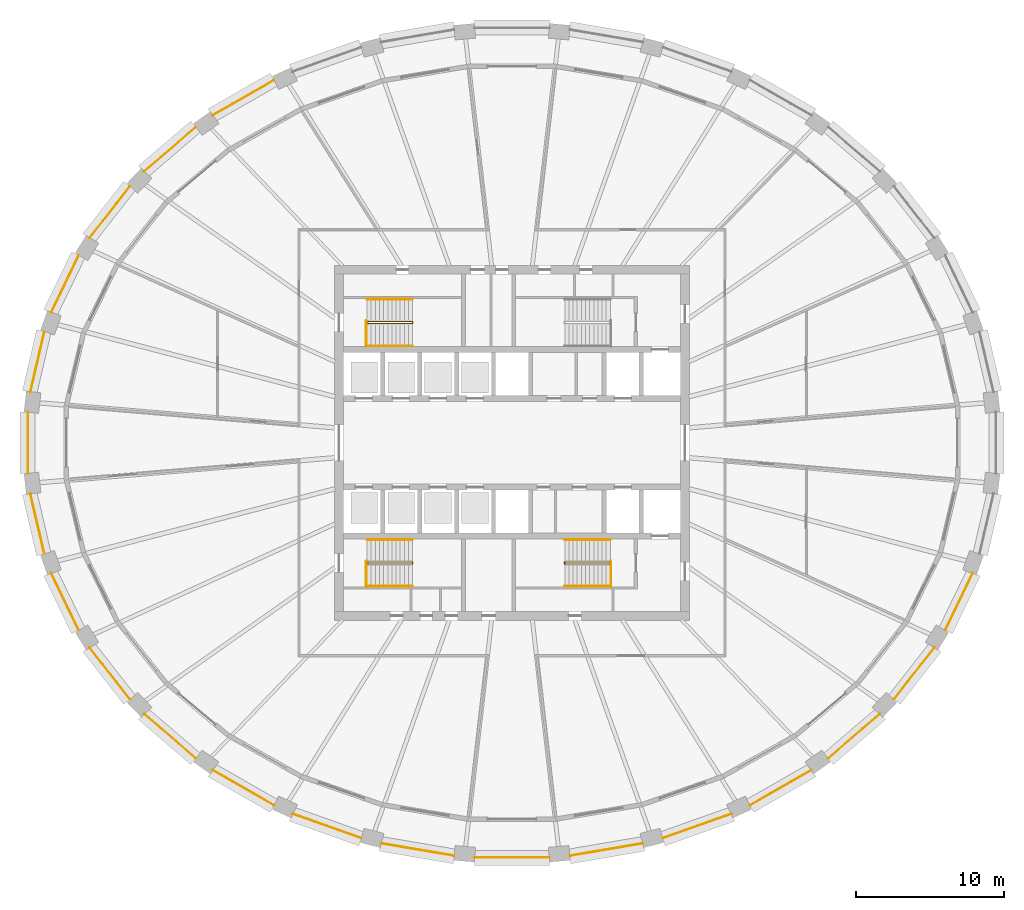
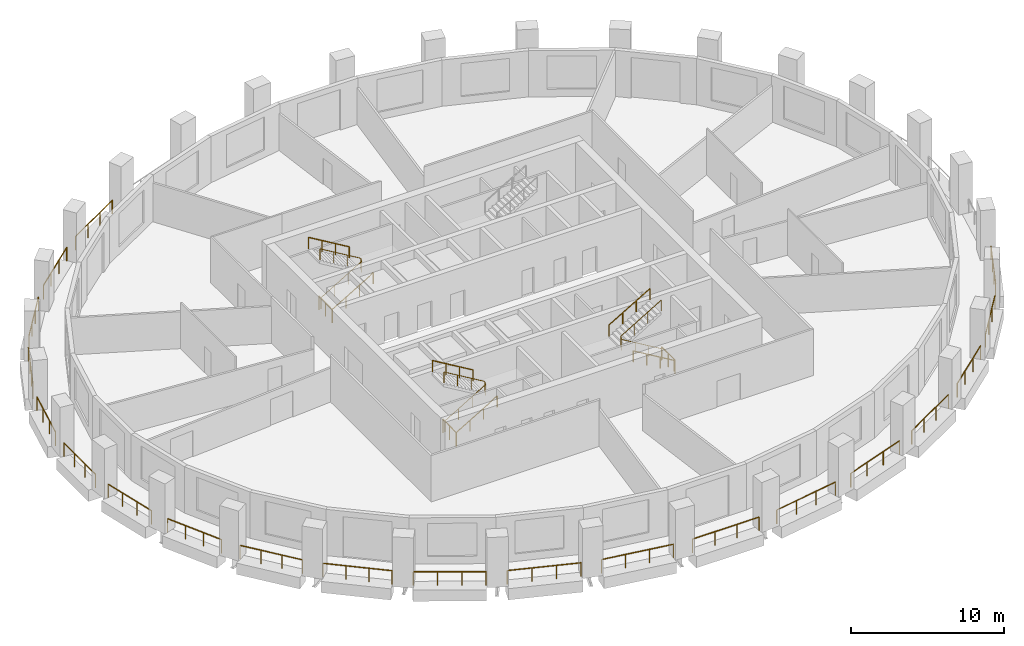
# One storey, part 8 of 10: 32 railings.
"""IFC4 building model written with IfcOpenShell, lengths in metres."""

from ifc_helpers import new_model, si_unit, direction, frame, origin, origin_2d, place, context, subcontext, project, spatial, circle, extrude, material, type_object, element, save


model = new_model("IFC4")

# Units and contexts
model_context = context("Model", 3, precision=1e-05, world=origin(), true_north=direction((0.0, 1.0)))
body_context = subcontext(model_context, "Body", "Model", "MODEL_VIEW")
ifc_project = project(units=[si_unit("LENGTHUNIT", "METRE"), si_unit("AREAUNIT", "SQUARE_METRE"), si_unit("VOLUMEUNIT", "CUBIC_METRE"), si_unit("PLANEANGLEUNIT", "RADIAN"), si_unit("MASSUNIT", "GRAM", prefix="KILO")], contexts=[model_context])

# Site, building, storey
site_placement = place(None, origin())
site = spatial("IfcSite", under=ifc_project, at=site_placement, CompositionType="ELEMENT")
building_placement = place(site_placement, origin())
building = spatial("IfcBuilding", under=site, at=building_placement, Name="Halqa Exchange Tower", CompositionType="ELEMENT")
storey_placement = place(building_placement, frame((0.0, 0.0, 186.89990234375)))
storey = spatial("IfcBuildingStorey", under=building, at=storey_placement, Name="L42", CompositionType="ELEMENT", Elevation=186.89990234375)

# Railings
ifc_material = material(Name="Stainless steel", Category="steel")
railing_type_1 = type_object("IfcRailingType", Name="Guard 1100 stainless steel", PredefinedType="GUARDRAIL", material=ifc_material)
railing_1_placement = place(storey_placement, frame((-16.104248046875, 24.502685546875, 0.0)))
element("IfcRailing", 1, at=railing_1_placement, inside=storey, type_object=railing_type_1, Name="Loggia guard 11", PredefinedType="GUARDRAIL", context=body_context, shape_type="SweptSolid", body=[
    extrude(circle(Radius=0.02392578125, at=origin_2d()), frame((0.0, 0.0, 1.076171875), z_axis=(-0.867751855259, -0.496997703913, 0.0), x_axis=(0.496997703913, -0.867751855259, 0.0)), (0.0, 0.0, 1.0), 4.774658203125),
    extrude(circle(Radius=0.02099609375, at=origin_2d()), origin(), (0.0, 0.0, 1.0), 1.052001953125),
    extrude(circle(Radius=0.02099609375, at=origin_2d()), frame((-1.381103515625, -0.791015625, 0.0)), (0.0, 0.0, 1.0), 1.052001953125),
    extrude(circle(Radius=0.02099609375, at=origin_2d()), frame((-2.76220703125, -1.58203125, 0.0)), (0.0, 0.0, 1.0), 1.052001953125),
    extrude(circle(Radius=0.02099609375, at=origin_2d()), frame((-4.143310546875, -2.373046875, 0.0)), (0.0, 0.0, 1.0), 1.052001953125),
])
railing_2_placement = place(storey_placement, frame((-21.386474609375, 21.326171875, 0.0)))
element("IfcRailing", 2, at=railing_2_placement, inside=storey, type_object=railing_type_1, Name="Loggia guard 12", PredefinedType="GUARDRAIL", context=body_context, shape_type="SweptSolid", body=[
    extrude(circle(Radius=0.02392578125, at=origin_2d()), frame((0.0, 0.0, 1.076171875), z_axis=(-0.75926783661, -0.650778266608, 0.0), x_axis=(0.650778266608, -0.75926783661, 0.0)), (0.0, 0.0, 1.0), 4.60205078125),
    extrude(circle(Radius=0.02099609375, at=origin_2d()), origin(), (0.0, 0.0, 1.0), 1.052001953125),
    extrude(circle(Radius=0.02099609375, at=origin_2d()), frame((-1.164794921875, -0.998291015625, 0.0)), (0.0, 0.0, 1.0), 1.052001953125),
    extrude(circle(Radius=0.02099609375, at=origin_2d()), frame((-2.329345703125, -1.99658203125, 0.0)), (0.0, 0.0, 1.0), 1.052001953125),
    extrude(circle(Radius=0.02099609375, at=origin_2d()), frame((-3.494140625, -2.994873046875, 0.0)), (0.0, 0.0, 1.0), 1.052001953125),
])
railing_3_placement = place(storey_placement, frame((-25.84228515625, 17.32373046875, 0.0)))
element("IfcRailing", 3, at=railing_3_placement, inside=storey, type_object=railing_type_1, Name="Loggia guard 13", PredefinedType="GUARDRAIL", context=body_context, shape_type="SweptSolid", body=[
    extrude(circle(Radius=0.02392578125, at=origin_2d()), frame((0.0, 0.0, 1.076171875), z_axis=(-0.614819031124, -0.788668218561, 0.0), x_axis=(0.788668218561, -0.614819031124, 0.0)), (0.0, 0.0, 1.0), 4.423583984375),
    extrude(circle(Radius=0.02099609375, at=origin_2d()), origin(), (0.0, 0.0, 1.0), 1.052001953125),
    extrude(circle(Radius=0.02099609375, at=origin_2d()), frame((-0.906494140625, -1.162841796875, 0.0)), (0.0, 0.0, 1.0), 1.052001953125),
    extrude(circle(Radius=0.02099609375, at=origin_2d()), frame((-1.813232421875, -2.325927734375, 0.0)), (0.0, 0.0, 1.0), 1.052001953125),
    extrude(circle(Radius=0.02099609375, at=origin_2d()), frame((-2.7197265625, -3.48876953125, 0.0)), (0.0, 0.0, 1.0), 1.052001953125),
])
railing_4_placement = place(storey_placement, frame((-29.296875, 12.652587890625, 0.0)))
element("IfcRailing", 4, at=railing_4_placement, inside=storey, type_object=railing_type_1, Name="Loggia guard 14", PredefinedType="GUARDRAIL", context=body_context, shape_type="SweptSolid", body=[
    extrude(circle(Radius=0.02392578125, at=origin_2d()), frame((0.0, 0.0, 1.076171875), z_axis=(-0.435091374041, -0.900386303892, 0.0), x_axis=(0.900386303892, -0.435091374041, 0.0)), (0.0, 0.0, 1.0), 4.267822265625),
    extrude(circle(Radius=0.02099609375, at=origin_2d()), origin(), (0.0, 0.0, 1.0), 1.052001953125),
    extrude(circle(Radius=0.02099609375, at=origin_2d()), frame((-0.618896484375, -1.281005859375, 0.0)), (0.0, 0.0, 1.0), 1.052001953125),
    extrude(circle(Radius=0.02099609375, at=origin_2d()), frame((-1.238037109375, -2.561767578125, 0.0)), (0.0, 0.0, 1.0), 1.052001953125),
    extrude(circle(Radius=0.02099609375, at=origin_2d()), frame((-1.85693359375, -3.8427734375, 0.0)), (0.0, 0.0, 1.0), 1.052001953125),
])
railing_5_placement = place(storey_placement, frame((-31.61669921875, 7.497802734375, 0.0)))
element("IfcRailing", 5, at=railing_5_placement, inside=storey, type_object=railing_type_1, Name="Loggia guard 15", PredefinedType="GUARDRAIL", context=body_context, shape_type="SweptSolid", body=[
    extrude(circle(Radius=0.02392578125, at=origin_2d()), frame((0.0, 0.0, 1.076171875), z_axis=(-0.226088953207, -0.974106660093, 0.0), x_axis=(0.974106660093, -0.226088953207, 0.0)), (0.0, 0.0, 1.0), 4.16162109375),
    extrude(circle(Radius=0.02099609375, at=origin_2d()), origin(), (0.0, 0.0, 1.0), 1.052001953125),
    extrude(circle(Radius=0.02099609375, at=origin_2d()), frame((-0.313720703125, -1.351318359375, 0.0)), (0.0, 0.0, 1.0), 1.052001953125),
    extrude(circle(Radius=0.02099609375, at=origin_2d()), frame((-0.627197265625, -2.70263671875, 0.0)), (0.0, 0.0, 1.0), 1.052001953125),
    extrude(circle(Radius=0.02099609375, at=origin_2d()), frame((-0.94091796875, -4.053955078125, 0.0)), (0.0, 0.0, 1.0), 1.052001953125),
])
railing_6_placement = place(storey_placement, frame((-32.7158203125, 2.06201171875, 0.0)))
element("IfcRailing", 6, at=railing_6_placement, inside=storey, type_object=railing_type_1, Name="Loggia guard 16", PredefinedType="GUARDRAIL", context=body_context, shape_type="SweptSolid", body=[
    extrude(circle(Radius=0.02392578125, at=origin_2d()), frame((0.0, 0.0, 1.076171875), z_axis=(0.0, -1.0, 0.0), x_axis=(1.0, 0.0, 0.0)), (0.0, 0.0, 1.0), 4.1240234375),
    extrude(circle(Radius=0.02099609375, at=origin_2d()), origin(), (0.0, 0.0, 1.0), 1.052001953125),
    extrude(circle(Radius=0.02099609375, at=origin_2d()), frame((0.0, -1.374755859375, 0.0)), (0.0, 0.0, 1.0), 1.052001953125),
    extrude(circle(Radius=0.02099609375, at=origin_2d()), frame((0.0, -2.749267578125, 0.0)), (0.0, 0.0, 1.0), 1.052001953125),
    extrude(circle(Radius=0.02099609375, at=origin_2d()), frame((0.0, -4.1240234375, 0.0)), (0.0, 0.0, 1.0), 1.052001953125),
])
railing_7_placement = place(storey_placement, frame((-32.5576171875, -3.44384765625, 0.0)))
element("IfcRailing", 7, at=railing_7_placement, inside=storey, type_object=railing_type_1, Name="Loggia guard 17", PredefinedType="GUARDRAIL", context=body_context, shape_type="SweptSolid", body=[
    extrude(circle(Radius=0.02392578125, at=origin_2d()), frame((0.0, 0.0, 1.076171875), z_axis=(0.226088953207, -0.974106660093, 0.0), x_axis=(0.974106660093, 0.226088953207, 0.0)), (0.0, 0.0, 1.0), 4.16162109375),
    extrude(circle(Radius=0.02099609375, at=origin_2d()), origin(), (0.0, 0.0, 1.0), 1.052001953125),
    extrude(circle(Radius=0.02099609375, at=origin_2d()), frame((0.313720703125, -1.351318359375, 0.0)), (0.0, 0.0, 1.0), 1.052001953125),
    extrude(circle(Radius=0.02099609375, at=origin_2d()), frame((0.627197265625, -2.70263671875, 0.0)), (0.0, 0.0, 1.0), 1.052001953125),
    extrude(circle(Radius=0.02099609375, at=origin_2d()), frame((0.94091796875, -4.053955078125, 0.0)), (0.0, 0.0, 1.0), 1.052001953125),
])
railing_8_placement = place(storey_placement, frame((-31.15380859375, -8.809814453125, 0.0)))
element("IfcRailing", 8, at=railing_8_placement, inside=storey, type_object=railing_type_1, Name="Loggia guard 18", PredefinedType="GUARDRAIL", context=body_context, shape_type="SweptSolid", body=[
    extrude(circle(Radius=0.02392578125, at=origin_2d()), frame((0.0, 0.0, 1.076171875), z_axis=(0.435091374041, -0.900386303892, 0.0), x_axis=(0.900386303892, 0.435091374041, 0.0)), (0.0, 0.0, 1.0), 4.267822265625),
    extrude(circle(Radius=0.02099609375, at=origin_2d()), origin(), (0.0, 0.0, 1.0), 1.052001953125),
    extrude(circle(Radius=0.02099609375, at=origin_2d()), frame((0.618896484375, -1.281005859375, 0.0)), (0.0, 0.0, 1.0), 1.052001953125),
    extrude(circle(Radius=0.02099609375, at=origin_2d()), frame((1.238037109375, -2.561767578125, 0.0)), (0.0, 0.0, 1.0), 1.052001953125),
    extrude(circle(Radius=0.02099609375, at=origin_2d()), frame((1.85693359375, -3.8427734375, 0.0)), (0.0, 0.0, 1.0), 1.052001953125),
])
railing_9_placement = place(storey_placement, frame((-28.56201171875, -13.8349609375, 0.0)))
element("IfcRailing", 9, at=railing_9_placement, inside=storey, type_object=railing_type_1, Name="Loggia guard 19", PredefinedType="GUARDRAIL", context=body_context, shape_type="SweptSolid", body=[
    extrude(circle(Radius=0.02392578125, at=origin_2d()), frame((0.0, 0.0, 1.076171875), z_axis=(0.614819031124, -0.788668218561, 0.0), x_axis=(0.788668218561, 0.614819031124, 0.0)), (0.0, 0.0, 1.0), 4.423583984375),
    extrude(circle(Radius=0.02099609375, at=origin_2d()), origin(), (0.0, 0.0, 1.0), 1.052001953125),
    extrude(circle(Radius=0.02099609375, at=origin_2d()), frame((0.906494140625, -1.162841796875, 0.0)), (0.0, 0.0, 1.0), 1.052001953125),
    extrude(circle(Radius=0.02099609375, at=origin_2d()), frame((1.813232421875, -2.325927734375, 0.0)), (0.0, 0.0, 1.0), 1.052001953125),
    extrude(circle(Radius=0.02099609375, at=origin_2d()), frame((2.7197265625, -3.48876953125, 0.0)), (0.0, 0.0, 1.0), 1.052001953125),
])
railing_10_placement = place(storey_placement, frame((-24.880615234375, -18.331298828125, 0.0)))
element("IfcRailing", 10, at=railing_10_placement, inside=storey, type_object=railing_type_1, Name="Loggia guard 20", PredefinedType="GUARDRAIL", context=body_context, shape_type="SweptSolid", body=[
    extrude(circle(Radius=0.02392578125, at=origin_2d()), frame((0.0, 0.0, 1.076171875), z_axis=(0.75926783661, -0.650778266608, 0.0), x_axis=(0.650778266608, 0.75926783661, 0.0)), (0.0, 0.0, 1.0), 4.60205078125),
    extrude(circle(Radius=0.02099609375, at=origin_2d()), origin(), (0.0, 0.0, 1.0), 1.052001953125),
    extrude(circle(Radius=0.02099609375, at=origin_2d()), frame((1.164794921875, -0.998291015625, 0.0)), (0.0, 0.0, 1.0), 1.052001953125),
    extrude(circle(Radius=0.02099609375, at=origin_2d()), frame((2.329345703125, -1.99658203125, 0.0)), (0.0, 0.0, 1.0), 1.052001953125),
    extrude(circle(Radius=0.02099609375, at=origin_2d()), frame((3.494140625, -2.994873046875, 0.0)), (0.0, 0.0, 1.0), 1.052001953125),
])
railing_11_placement = place(storey_placement, frame((-20.24755859375, -22.129638671875, 0.0)))
element("IfcRailing", 11, at=railing_11_placement, inside=storey, type_object=railing_type_1, Name="Loggia guard 21", PredefinedType="GUARDRAIL", context=body_context, shape_type="SweptSolid", body=[
    extrude(circle(Radius=0.02392578125, at=origin_2d()), frame((0.0, 0.0, 1.076171875), z_axis=(0.867751855259, -0.496997703913, 0.0), x_axis=(0.496997703913, 0.867751855259, 0.0)), (0.0, 0.0, 1.0), 4.774658203125),
    extrude(circle(Radius=0.02099609375, at=origin_2d()), origin(), (0.0, 0.0, 1.0), 1.052001953125),
    extrude(circle(Radius=0.02099609375, at=origin_2d()), frame((1.381103515625, -0.791015625, 0.0)), (0.0, 0.0, 1.0), 1.052001953125),
    extrude(circle(Radius=0.02099609375, at=origin_2d()), frame((2.76220703125, -1.58203125, 0.0)), (0.0, 0.0, 1.0), 1.052001953125),
    extrude(circle(Radius=0.02099609375, at=origin_2d()), frame((4.143310546875, -2.373046875, 0.0)), (0.0, 0.0, 1.0), 1.052001953125),
])
railing_12_placement = place(storey_placement, frame((-14.837158203125, -25.084716796875, 0.0)))
element("IfcRailing", 12, at=railing_12_placement, inside=storey, type_object=railing_type_1, Name="Loggia guard 22", PredefinedType="GUARDRAIL", context=body_context, shape_type="SweptSolid", body=[
    extrude(circle(Radius=0.02392578125, at=origin_2d()), frame((0.0, 0.0, 1.076171875), z_axis=(0.942369190495, -0.334574817949, 0.0), x_axis=(0.334574817949, 0.942369190495, 0.0)), (0.0, 0.0, 1.0), 4.918212890625),
    extrude(circle(Radius=0.02099609375, at=origin_2d()), origin(), (0.0, 0.0, 1.0), 1.052001953125),
    extrude(circle(Radius=0.02099609375, at=origin_2d()), frame((1.544921875, -0.548583984375, 0.0)), (0.0, 0.0, 1.0), 1.052001953125),
    extrude(circle(Radius=0.02099609375, at=origin_2d()), frame((3.08984375, -1.096923828125, 0.0)), (0.0, 0.0, 1.0), 1.052001953125),
    extrude(circle(Radius=0.02099609375, at=origin_2d()), frame((4.634765625, -1.6455078125, 0.0)), (0.0, 0.0, 1.0), 1.052001953125),
])
railing_13_placement = place(storey_placement, frame((-8.852783203125, -27.08203125, 0.0)))
element("IfcRailing", 13, at=railing_13_placement, inside=storey, type_object=railing_type_1, Name="Loggia guard 23", PredefinedType="GUARDRAIL", context=body_context, shape_type="SweptSolid", body=[
    extrude(circle(Radius=0.02392578125, at=origin_2d()), frame((0.0, 0.0, 1.076171875), z_axis=(0.985777589704, -0.168055180337, 0.0), x_axis=(0.168055180337, 0.985777589704, 0.0)), (0.0, 0.0, 1.0), 5.011962890625),
    extrude(circle(Radius=0.02099609375, at=origin_2d()), origin(), (0.0, 0.0, 1.0), 1.052001953125),
    extrude(circle(Radius=0.02099609375, at=origin_2d()), frame((1.64697265625, -0.28076171875, 0.0)), (0.0, 0.0, 1.0), 1.052001953125),
    extrude(circle(Radius=0.02099609375, at=origin_2d()), frame((3.293701171875, -0.5615234375, 0.0)), (0.0, 0.0, 1.0), 1.052001953125),
    extrude(circle(Radius=0.02099609375, at=origin_2d()), frame((4.940673828125, -0.84228515625, 0.0)), (0.0, 0.0, 1.0), 1.052001953125),
])
railing_14_placement = place(storey_placement, frame((-2.522216796875, -28.0419921875, 0.0)))
element("IfcRailing", 14, at=railing_14_placement, inside=storey, type_object=railing_type_1, Name="Loggia guard 24", PredefinedType="GUARDRAIL", context=body_context, shape_type="SweptSolid", body=[
    extrude(circle(Radius=0.02392578125, at=origin_2d()), frame((0.0, 0.0, 1.076171875), z_axis=(1.0, 0.0, 0.0), x_axis=(0.0, 1.0, 0.0)), (0.0, 0.0, 1.0), 5.04443359375),
    extrude(circle(Radius=0.02099609375, at=origin_2d()), origin(), (0.0, 0.0, 1.0), 1.052001953125),
    extrude(circle(Radius=0.02099609375, at=origin_2d()), frame((1.681396484375, 0.0, 0.0)), (0.0, 0.0, 1.0), 1.052001953125),
    extrude(circle(Radius=0.02099609375, at=origin_2d()), frame((3.363037109375, 0.0, 0.0)), (0.0, 0.0, 1.0), 1.052001953125),
    extrude(circle(Radius=0.02099609375, at=origin_2d()), frame((5.04443359375, 0.0, 0.0)), (0.0, 0.0, 1.0), 1.052001953125),
])
railing_15_placement = place(storey_placement, frame((3.912109375, -27.92431640625, 0.0)))
element("IfcRailing", 15, at=railing_15_placement, inside=storey, type_object=railing_type_1, Name="Loggia guard 25", PredefinedType="GUARDRAIL", context=body_context, shape_type="SweptSolid", body=[
    extrude(circle(Radius=0.02392578125, at=origin_2d()), frame((0.0, 0.0, 1.076171875), z_axis=(0.985777589704, 0.168055180337, 0.0), x_axis=(-0.168055180337, 0.985777589704, 0.0)), (0.0, 0.0, 1.0), 5.011962890625),
    extrude(circle(Radius=0.02099609375, at=origin_2d()), origin(), (0.0, 0.0, 1.0), 1.052001953125),
    extrude(circle(Radius=0.02099609375, at=origin_2d()), frame((1.64697265625, 0.28076171875, 0.0)), (0.0, 0.0, 1.0), 1.052001953125),
    extrude(circle(Radius=0.02099609375, at=origin_2d()), frame((3.293701171875, 0.5615234375, 0.0)), (0.0, 0.0, 1.0), 1.052001953125),
    extrude(circle(Radius=0.02099609375, at=origin_2d()), frame((4.940673828125, 0.84228515625, 0.0)), (0.0, 0.0, 1.0), 1.052001953125),
])
railing_16_placement = place(storey_placement, frame((10.202392578125, -26.730224609375, 0.0)))
element("IfcRailing", 16, at=railing_16_placement, inside=storey, type_object=railing_type_1, Name="Loggia guard 26", PredefinedType="GUARDRAIL", context=body_context, shape_type="SweptSolid", body=[
    extrude(circle(Radius=0.02392578125, at=origin_2d()), frame((0.0, 0.0, 1.076171875), z_axis=(0.942369190495, 0.334574817949, 0.0), x_axis=(-0.334574817949, 0.942369190495, 0.0)), (0.0, 0.0, 1.0), 4.918212890625),
    extrude(circle(Radius=0.02099609375, at=origin_2d()), origin(), (0.0, 0.0, 1.0), 1.052001953125),
    extrude(circle(Radius=0.02099609375, at=origin_2d()), frame((1.544921875, 0.548583984375, 0.0)), (0.0, 0.0, 1.0), 1.052001953125),
    extrude(circle(Radius=0.02099609375, at=origin_2d()), frame((3.08984375, 1.096923828125, 0.0)), (0.0, 0.0, 1.0), 1.052001953125),
    extrude(circle(Radius=0.02099609375, at=origin_2d()), frame((4.634765625, 1.6455078125, 0.0)), (0.0, 0.0, 1.0), 1.052001953125),
])
railing_17_placement = place(storey_placement, frame((16.104248046875, -24.502685546875, 0.0)))
element("IfcRailing", 17, at=railing_17_placement, inside=storey, type_object=railing_type_1, Name="Loggia guard 27", PredefinedType="GUARDRAIL", context=body_context, shape_type="SweptSolid", body=[
    extrude(circle(Radius=0.02392578125, at=origin_2d()), frame((0.0, 0.0, 1.076171875), z_axis=(0.867751855259, 0.496997703913, 0.0), x_axis=(-0.496997703913, 0.867751855259, 0.0)), (0.0, 0.0, 1.0), 4.774658203125),
    extrude(circle(Radius=0.02099609375, at=origin_2d()), origin(), (0.0, 0.0, 1.0), 1.052001953125),
    extrude(circle(Radius=0.02099609375, at=origin_2d()), frame((1.381103515625, 0.791015625, 0.0)), (0.0, 0.0, 1.0), 1.052001953125),
    extrude(circle(Radius=0.02099609375, at=origin_2d()), frame((2.76220703125, 1.58203125, 0.0)), (0.0, 0.0, 1.0), 1.052001953125),
    extrude(circle(Radius=0.02099609375, at=origin_2d()), frame((4.143310546875, 2.373046875, 0.0)), (0.0, 0.0, 1.0), 1.052001953125),
])
railing_18_placement = place(storey_placement, frame((21.386474609375, -21.326171875, 0.0)))
element("IfcRailing", 18, at=railing_18_placement, inside=storey, type_object=railing_type_1, Name="Loggia guard 28", PredefinedType="GUARDRAIL", context=body_context, shape_type="SweptSolid", body=[
    extrude(circle(Radius=0.02392578125, at=origin_2d()), frame((0.0, 0.0, 1.076171875), z_axis=(0.75926783661, 0.650778266608, 0.0), x_axis=(-0.650778266608, 0.75926783661, 0.0)), (0.0, 0.0, 1.0), 4.60205078125),
    extrude(circle(Radius=0.02099609375, at=origin_2d()), origin(), (0.0, 0.0, 1.0), 1.052001953125),
    extrude(circle(Radius=0.02099609375, at=origin_2d()), frame((1.164794921875, 0.998291015625, 0.0)), (0.0, 0.0, 1.0), 1.052001953125),
    extrude(circle(Radius=0.02099609375, at=origin_2d()), frame((2.329345703125, 1.99658203125, 0.0)), (0.0, 0.0, 1.0), 1.052001953125),
    extrude(circle(Radius=0.02099609375, at=origin_2d()), frame((3.494140625, 2.994873046875, 0.0)), (0.0, 0.0, 1.0), 1.052001953125),
])
railing_19_placement = place(storey_placement, frame((25.84228515625, -17.32373046875, 0.0)))
element("IfcRailing", 19, at=railing_19_placement, inside=storey, type_object=railing_type_1, Name="Loggia guard 29", PredefinedType="GUARDRAIL", context=body_context, shape_type="SweptSolid", body=[
    extrude(circle(Radius=0.02392578125, at=origin_2d()), frame((0.0, 0.0, 1.076171875), z_axis=(0.614819031124, 0.788668218561, 0.0), x_axis=(-0.788668218561, 0.614819031124, 0.0)), (0.0, 0.0, 1.0), 4.423583984375),
    extrude(circle(Radius=0.02099609375, at=origin_2d()), origin(), (0.0, 0.0, 1.0), 1.052001953125),
    extrude(circle(Radius=0.02099609375, at=origin_2d()), frame((0.906494140625, 1.162841796875, 0.0)), (0.0, 0.0, 1.0), 1.052001953125),
    extrude(circle(Radius=0.02099609375, at=origin_2d()), frame((1.813232421875, 2.325927734375, 0.0)), (0.0, 0.0, 1.0), 1.052001953125),
    extrude(circle(Radius=0.02099609375, at=origin_2d()), frame((2.7197265625, 3.48876953125, 0.0)), (0.0, 0.0, 1.0), 1.052001953125),
])
railing_20_placement = place(storey_placement, frame((29.296875, -12.652587890625, 0.0)))
element("IfcRailing", 20, at=railing_20_placement, inside=storey, type_object=railing_type_1, Name="Loggia guard 30", PredefinedType="GUARDRAIL", context=body_context, shape_type="SweptSolid", body=[
    extrude(circle(Radius=0.02392578125, at=origin_2d()), frame((0.0, 0.0, 1.076171875), z_axis=(0.435091374041, 0.900386303892, 0.0), x_axis=(-0.900386303892, 0.435091374041, 0.0)), (0.0, 0.0, 1.0), 4.267822265625),
    extrude(circle(Radius=0.02099609375, at=origin_2d()), origin(), (0.0, 0.0, 1.0), 1.052001953125),
    extrude(circle(Radius=0.02099609375, at=origin_2d()), frame((0.618896484375, 1.281005859375, 0.0)), (0.0, 0.0, 1.0), 1.052001953125),
    extrude(circle(Radius=0.02099609375, at=origin_2d()), frame((1.238037109375, 2.561767578125, 0.0)), (0.0, 0.0, 1.0), 1.052001953125),
    extrude(circle(Radius=0.02099609375, at=origin_2d()), frame((1.85693359375, 3.8427734375, 0.0)), (0.0, 0.0, 1.0), 1.052001953125),
])
railing_type_2 = type_object("IfcRailingType", Name="Stair handrail 900", PredefinedType="HANDRAIL", material=ifc_material)
railing_21_placement = place(storey_placement, frame((-9.800048828125, 8.06005859375, 0.166748046875)))
element("IfcRailing", 21, at=railing_21_placement, inside=storey, type_object=railing_type_2, Name="Handrail ST1.1", PredefinedType="HANDRAIL", context=body_context, shape_type="SweptSolid", body=[
    extrude(circle(Radius=0.02392578125, at=origin_2d()), frame((0.0, 0.0, 0.8759765625), z_axis=(0.859308565015, 0.0, 0.511457515432), x_axis=(0.0, 1.0, 0.0)), (0.0, 0.0, 1.0), 3.58447265625),
    extrude(circle(Radius=0.02392578125, at=origin_2d()), frame((3.080078125, 0.0, 2.708984375), z_axis=(0.0, 0.614500226555, 0.788916644243), x_axis=(-1.0, 0.0, 0.0)), (0.0, 0.0, 1.0), 0.21142578125),
    extrude(circle(Radius=0.02392578125, at=origin_2d()), frame((3.080078125, 0.1298828125, 2.8759765625), z_axis=(-0.859308565015, 0.0, 0.511457515432), x_axis=(0.0, -1.0, 0.0)), (0.0, 0.0, 1.0), 3.58447265625),
    extrude(circle(Radius=0.02099609375, at=origin_2d()), origin(), (0.0, 0.0, 1.0), 0.851806640625),
    extrude(circle(Radius=0.02099609375, at=origin_2d()), frame((1.026611328125, 0.0, 0.611083984375)), (0.0, 0.0, 1.0), 0.851806640625),
    extrude(circle(Radius=0.02099609375, at=origin_2d()), frame((2.053466796875, 0.0, 1.22216796875)), (0.0, 0.0, 1.0), 0.851806640625),
    extrude(circle(Radius=0.02099609375, at=origin_2d()), frame((3.080078125, 0.0, 1.833251953125)), (0.0, 0.0, 1.0), 0.851806640625),
    extrude(circle(Radius=0.02099609375, at=origin_2d()), frame((3.080078125, 0.1298828125, 2.0)), (0.0, 0.0, 1.0), 0.851806640625),
    extrude(circle(Radius=0.02099609375, at=origin_2d()), frame((2.053466796875, 0.1298828125, 2.611083984375)), (0.0, 0.0, 1.0), 0.851806640625),
    extrude(circle(Radius=0.02099609375, at=origin_2d()), frame((1.026611328125, 0.1298828125, 3.22216796875)), (0.0, 0.0, 1.0), 0.851806640625),
    extrude(circle(Radius=0.02099609375, at=origin_2d()), frame((0.0, 0.1298828125, 3.833251953125)), (0.0, 0.0, 1.0), 0.851806640625),
])
railing_22_placement = place(storey_placement, frame((-9.800048828125, 6.550048828125, 0.166748046875)))
element("IfcRailing", 22, at=railing_22_placement, inside=storey, type_object=railing_type_2, Name="Handrail ST1.2", PredefinedType="HANDRAIL", context=body_context, shape_type="SweptSolid", body=[
    extrude(circle(Radius=0.02392578125, at=origin_2d()), frame((0.0, 0.0, 0.8759765625), z_axis=(0.859308565015, 0.0, 0.511457515432), x_axis=(0.0, 1.0, 0.0)), (0.0, 0.0, 1.0), 3.58447265625),
    extrude(circle(Radius=0.02099609375, at=origin_2d()), origin(), (0.0, 0.0, 1.0), 0.851806640625),
    extrude(circle(Radius=0.02099609375, at=origin_2d()), frame((1.026611328125, 0.0, 0.611083984375)), (0.0, 0.0, 1.0), 0.851806640625),
    extrude(circle(Radius=0.02099609375, at=origin_2d()), frame((2.053466796875, 0.0, 1.22216796875)), (0.0, 0.0, 1.0), 0.851806640625),
    extrude(circle(Radius=0.02099609375, at=origin_2d()), frame((3.080078125, 0.0, 1.833251953125)), (0.0, 0.0, 1.0), 0.851806640625),
])
railing_23_placement = place(storey_placement, frame((-6.719970703125, 9.699951171875, 2.166748046875)))
element("IfcRailing", 23, at=railing_23_placement, inside=storey, type_object=railing_type_2, Name="Handrail ST1.3", PredefinedType="HANDRAIL", context=body_context, shape_type="SweptSolid", body=[
    extrude(circle(Radius=0.02392578125, at=origin_2d()), frame((0.0, 0.0, 0.8759765625), z_axis=(-0.859308565015, 0.0, 0.511457515432), x_axis=(0.0, -1.0, 0.0)), (0.0, 0.0, 1.0), 3.58447265625),
    extrude(circle(Radius=0.02099609375, at=origin_2d()), origin(), (0.0, 0.0, 1.0), 0.851806640625),
    extrude(circle(Radius=0.02099609375, at=origin_2d()), frame((-1.026611328125, 0.0, 0.611083984375)), (0.0, 0.0, 1.0), 0.851806640625),
    extrude(circle(Radius=0.02099609375, at=origin_2d()), frame((-2.053466796875, 0.0, 1.22216796875)), (0.0, 0.0, 1.0), 0.851806640625),
    extrude(circle(Radius=0.02099609375, at=origin_2d()), frame((-3.080078125, 0.0, 1.833251953125)), (0.0, 0.0, 1.0), 0.851806640625),
])
railing_24_placement = place(storey_placement, frame((-9.800048828125, -8.18994140625, 0.166748046875)))
element("IfcRailing", 24, at=railing_24_placement, inside=storey, type_object=railing_type_2, Name="Handrail ST3.1", PredefinedType="HANDRAIL", context=body_context, shape_type="SweptSolid", body=[
    extrude(circle(Radius=0.02392578125, at=origin_2d()), frame((0.0, 0.0, 0.8759765625), z_axis=(0.859308565015, 0.0, 0.511457515432), x_axis=(0.0, 1.0, 0.0)), (0.0, 0.0, 1.0), 3.58447265625),
    extrude(circle(Radius=0.02392578125, at=origin_2d()), frame((3.080078125, 0.0, 2.708984375), z_axis=(0.0, 0.614500226555, 0.788916644243), x_axis=(-1.0, 0.0, 0.0)), (0.0, 0.0, 1.0), 0.21142578125),
    extrude(circle(Radius=0.02392578125, at=origin_2d()), frame((3.080078125, 0.1298828125, 2.8759765625), z_axis=(-0.859308565015, 0.0, 0.511457515432), x_axis=(0.0, -1.0, 0.0)), (0.0, 0.0, 1.0), 3.58447265625),
    extrude(circle(Radius=0.02099609375, at=origin_2d()), origin(), (0.0, 0.0, 1.0), 0.851806640625),
    extrude(circle(Radius=0.02099609375, at=origin_2d()), frame((1.026611328125, 0.0, 0.611083984375)), (0.0, 0.0, 1.0), 0.851806640625),
    extrude(circle(Radius=0.02099609375, at=origin_2d()), frame((2.053466796875, 0.0, 1.22216796875)), (0.0, 0.0, 1.0), 0.851806640625),
    extrude(circle(Radius=0.02099609375, at=origin_2d()), frame((3.080078125, 0.0, 1.833251953125)), (0.0, 0.0, 1.0), 0.851806640625),
    extrude(circle(Radius=0.02099609375, at=origin_2d()), frame((3.080078125, 0.1298828125, 2.0)), (0.0, 0.0, 1.0), 0.851806640625),
    extrude(circle(Radius=0.02099609375, at=origin_2d()), frame((2.053466796875, 0.1298828125, 2.611083984375)), (0.0, 0.0, 1.0), 0.851806640625),
    extrude(circle(Radius=0.02099609375, at=origin_2d()), frame((1.026611328125, 0.1298828125, 3.22216796875)), (0.0, 0.0, 1.0), 0.851806640625),
    extrude(circle(Radius=0.02099609375, at=origin_2d()), frame((0.0, 0.1298828125, 3.833251953125)), (0.0, 0.0, 1.0), 0.851806640625),
])
railing_25_placement = place(storey_placement, frame((-9.800048828125, -9.699951171875, 0.166748046875)))
element("IfcRailing", 25, at=railing_25_placement, inside=storey, type_object=railing_type_2, Name="Handrail ST3.2", PredefinedType="HANDRAIL", context=body_context, shape_type="SweptSolid", body=[
    extrude(circle(Radius=0.02392578125, at=origin_2d()), frame((0.0, 0.0, 0.8759765625), z_axis=(0.859308565015, 0.0, 0.511457515432), x_axis=(0.0, 1.0, 0.0)), (0.0, 0.0, 1.0), 3.58447265625),
    extrude(circle(Radius=0.02099609375, at=origin_2d()), origin(), (0.0, 0.0, 1.0), 0.851806640625),
    extrude(circle(Radius=0.02099609375, at=origin_2d()), frame((1.026611328125, 0.0, 0.611083984375)), (0.0, 0.0, 1.0), 0.851806640625),
    extrude(circle(Radius=0.02099609375, at=origin_2d()), frame((2.053466796875, 0.0, 1.22216796875)), (0.0, 0.0, 1.0), 0.851806640625),
    extrude(circle(Radius=0.02099609375, at=origin_2d()), frame((3.080078125, 0.0, 1.833251953125)), (0.0, 0.0, 1.0), 0.851806640625),
])
railing_26_placement = place(storey_placement, frame((-6.719970703125, -6.550048828125, 2.166748046875)))
element("IfcRailing", 26, at=railing_26_placement, inside=storey, type_object=railing_type_2, Name="Handrail ST3.3", PredefinedType="HANDRAIL", context=body_context, shape_type="SweptSolid", body=[
    extrude(circle(Radius=0.02392578125, at=origin_2d()), frame((0.0, 0.0, 0.8759765625), z_axis=(-0.859308565015, 0.0, 0.511457515432), x_axis=(0.0, -1.0, 0.0)), (0.0, 0.0, 1.0), 3.58447265625),
    extrude(circle(Radius=0.02099609375, at=origin_2d()), origin(), (0.0, 0.0, 1.0), 0.851806640625),
    extrude(circle(Radius=0.02099609375, at=origin_2d()), frame((-1.026611328125, 0.0, 0.611083984375)), (0.0, 0.0, 1.0), 0.851806640625),
    extrude(circle(Radius=0.02099609375, at=origin_2d()), frame((-2.053466796875, 0.0, 1.22216796875)), (0.0, 0.0, 1.0), 0.851806640625),
    extrude(circle(Radius=0.02099609375, at=origin_2d()), frame((-3.080078125, 0.0, 1.833251953125)), (0.0, 0.0, 1.0), 0.851806640625),
])
railing_27_placement = place(storey_placement, frame((6.64990234375, -8.18994140625, 0.166748046875)))
element("IfcRailing", 27, at=railing_27_placement, inside=storey, type_object=railing_type_2, Name="Handrail ST4.1", PredefinedType="HANDRAIL", context=body_context, shape_type="SweptSolid", body=[
    extrude(circle(Radius=0.02392578125, at=origin_2d()), frame((0.0, 0.0, 0.8759765625), z_axis=(-0.859290745958, 0.0, 0.51148745235), x_axis=(0.0, -1.0, 0.0)), (0.0, 0.0, 1.0), 3.584228515625),
    extrude(circle(Radius=0.02392578125, at=origin_2d()), frame((-3.079833984375, 0.0, 2.708984375), z_axis=(0.0, 0.614500226555, 0.788916644243), x_axis=(-1.0, 0.0, 0.0)), (0.0, 0.0, 1.0), 0.21142578125),
    extrude(circle(Radius=0.02392578125, at=origin_2d()), frame((-3.079833984375, 0.1298828125, 2.8759765625), z_axis=(0.859290745958, 0.0, 0.51148745235), x_axis=(0.0, 1.0, 0.0)), (0.0, 0.0, 1.0), 3.584228515625),
    extrude(circle(Radius=0.02099609375, at=origin_2d()), origin(), (0.0, 0.0, 1.0), 0.851806640625),
    extrude(circle(Radius=0.02099609375, at=origin_2d()), frame((-1.026611328125, 0.0, 0.611083984375)), (0.0, 0.0, 1.0), 0.851806640625),
    extrude(circle(Radius=0.02099609375, at=origin_2d()), frame((-2.05322265625, 0.0, 1.22216796875)), (0.0, 0.0, 1.0), 0.851806640625),
    extrude(circle(Radius=0.02099609375, at=origin_2d()), frame((-3.079833984375, 0.0, 1.833251953125)), (0.0, 0.0, 1.0), 0.851806640625),
    extrude(circle(Radius=0.02099609375, at=origin_2d()), frame((-3.079833984375, 0.1298828125, 2.0)), (0.0, 0.0, 1.0), 0.851806640625),
    extrude(circle(Radius=0.02099609375, at=origin_2d()), frame((-2.05322265625, 0.1298828125, 2.611083984375)), (0.0, 0.0, 1.0), 0.851806640625),
    extrude(circle(Radius=0.02099609375, at=origin_2d()), frame((-1.026611328125, 0.1298828125, 3.22216796875)), (0.0, 0.0, 1.0), 0.851806640625),
    extrude(circle(Radius=0.02099609375, at=origin_2d()), frame((0.0, 0.1298828125, 3.833251953125)), (0.0, 0.0, 1.0), 0.851806640625),
])
railing_28_placement = place(storey_placement, frame((6.64990234375, -9.699951171875, 0.166748046875)))
element("IfcRailing", 28, at=railing_28_placement, inside=storey, type_object=railing_type_2, Name="Handrail ST4.2", PredefinedType="HANDRAIL", context=body_context, shape_type="SweptSolid", body=[
    extrude(circle(Radius=0.02392578125, at=origin_2d()), frame((0.0, 0.0, 0.8759765625), z_axis=(-0.859290745958, 0.0, 0.51148745235), x_axis=(0.0, -1.0, 0.0)), (0.0, 0.0, 1.0), 3.584228515625),
    extrude(circle(Radius=0.02099609375, at=origin_2d()), origin(), (0.0, 0.0, 1.0), 0.851806640625),
    extrude(circle(Radius=0.02099609375, at=origin_2d()), frame((-1.026611328125, 0.0, 0.611083984375)), (0.0, 0.0, 1.0), 0.851806640625),
    extrude(circle(Radius=0.02099609375, at=origin_2d()), frame((-2.05322265625, 0.0, 1.22216796875)), (0.0, 0.0, 1.0), 0.851806640625),
    extrude(circle(Radius=0.02099609375, at=origin_2d()), frame((-3.079833984375, 0.0, 1.833251953125)), (0.0, 0.0, 1.0), 0.851806640625),
])
railing_29_placement = place(storey_placement, frame((3.570068359375, -6.550048828125, 2.166748046875)))
element("IfcRailing", 29, at=railing_29_placement, inside=storey, type_object=railing_type_2, Name="Handrail ST4.3", PredefinedType="HANDRAIL", context=body_context, shape_type="SweptSolid", body=[
    extrude(circle(Radius=0.02392578125, at=origin_2d()), frame((0.0, 0.0, 0.8759765625), z_axis=(0.859290745958, 0.0, 0.51148745235), x_axis=(0.0, 1.0, 0.0)), (0.0, 0.0, 1.0), 3.584228515625),
    extrude(circle(Radius=0.02099609375, at=origin_2d()), origin(), (0.0, 0.0, 1.0), 0.851806640625),
    extrude(circle(Radius=0.02099609375, at=origin_2d()), frame((1.026611328125, 0.0, 0.611083984375)), (0.0, 0.0, 1.0), 0.851806640625),
    extrude(circle(Radius=0.02099609375, at=origin_2d()), frame((2.05322265625, 0.0, 1.22216796875)), (0.0, 0.0, 1.0), 0.851806640625),
    extrude(circle(Radius=0.02099609375, at=origin_2d()), frame((3.079833984375, 0.0, 1.833251953125)), (0.0, 0.0, 1.0), 0.851806640625),
])
railing_type_3 = type_object("IfcRailingType", Name="Stair well guard 1100", PredefinedType="GUARDRAIL", material=ifc_material)
for number, where, name in (
    (30, (-9.85009765625, 6.5, 0.0), "Guard ST1 well"),
    (31, (-9.85009765625, -9.75, 0.0), "Guard ST3 well"),
    (32, (6.699951171875, -9.75, 0.0), "Guard ST4 well"),
):
    element("IfcRailing", number, at=place(storey_placement, frame(where)), inside=storey, type_object=railing_type_3, Name=name, PredefinedType="GUARDRAIL", context=body_context, shape_type="SweptSolid", body=[
        extrude(circle(Radius=0.02392578125, at=origin_2d()), frame((0.0, 0.0, 1.076171875), z_axis=(0.0, 1.0, 0.0), x_axis=(-1.0, 0.0, 0.0)), (0.0, 0.0, 1.0), 1.75),
        extrude(circle(Radius=0.02099609375, at=origin_2d()), origin(), (0.0, 0.0, 1.0), 1.052001953125),
        extrude(circle(Radius=0.02099609375, at=origin_2d()), frame((0.0, 0.875, 0.0)), (0.0, 0.0, 1.0), 1.052001953125),
        extrude(circle(Radius=0.02099609375, at=origin_2d()), frame((0.0, 1.75, 0.0)), (0.0, 0.0, 1.0), 1.052001953125),
    ])

save(model, "model.ifc")
